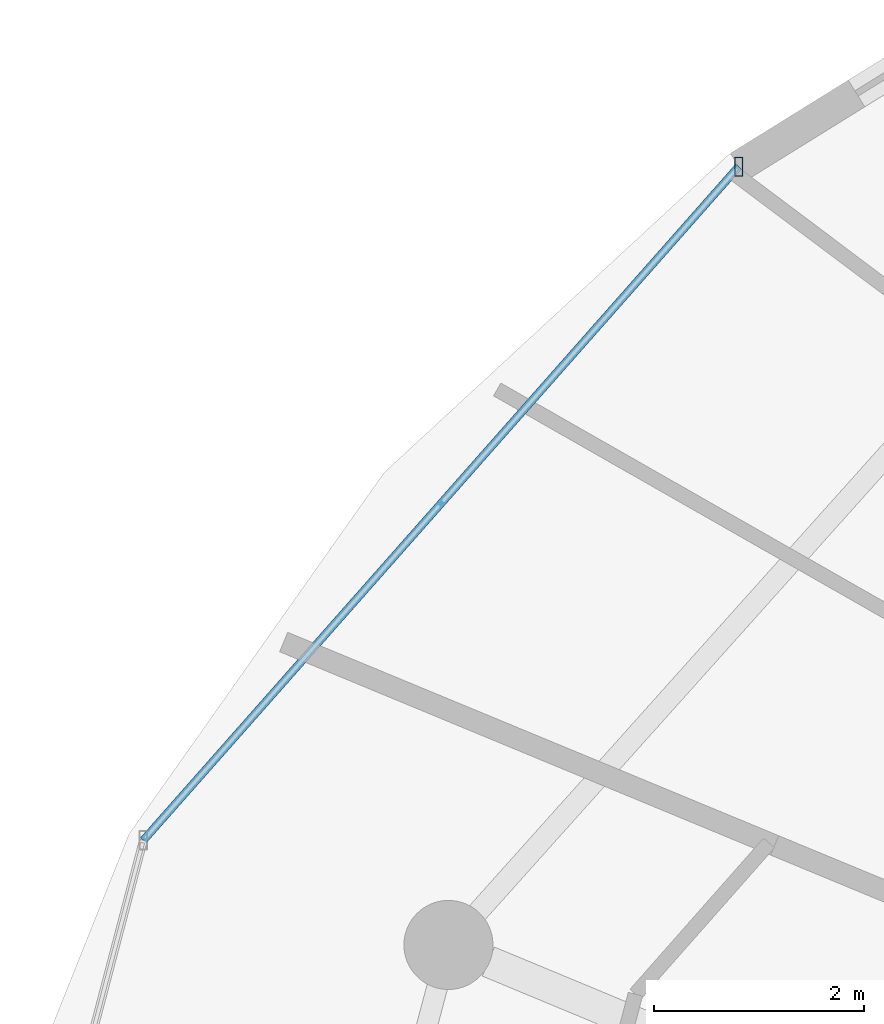
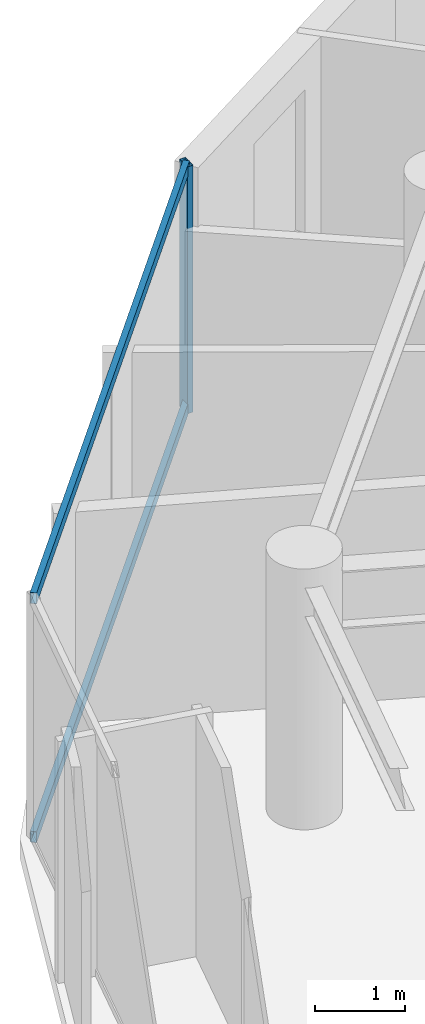
# One storey, part 16 of 31: 3 members, 1 element without a shape of its own.
"""IFC4 building model written with IfcOpenShell, lengths in metres."""

from ifc_helpers import new_model, si_unit, direction, frame, origin, origin_2d, place, context, subcontext, project, spatial, hollow_rectangle, extrude, material, material_profile, profile_set, type_object, element, aggregate, save


model = new_model("IFC4")

# Units and contexts
model_context = context("Model", 3, precision=1e-05, world=origin(), true_north=direction((0.0, 1.0)))
body_context = subcontext(model_context, "Body", "Model", "MODEL_VIEW")
ifc_project = project(units=[si_unit("LENGTHUNIT", "METRE"), si_unit("AREAUNIT", "SQUARE_METRE"), si_unit("VOLUMEUNIT", "CUBIC_METRE"), si_unit("PLANEANGLEUNIT", "RADIAN"), si_unit("MASSUNIT", "GRAM", prefix="KILO")], contexts=[model_context])

# Site, building, storey
site_placement = place(None, origin())
site = spatial("IfcSite", under=ifc_project, at=site_placement, CompositionType="ELEMENT")
building_placement = place(site_placement, origin())
building = spatial("IfcBuilding", under=site, at=building_placement, Name="Vorneva Point Tower", CompositionType="ELEMENT")
storey_placement = place(building_placement, frame((0.0, 0.0, 244.89990234375)))
storey = spatial("IfcBuildingStorey", under=building, at=storey_placement, Name="L66", CompositionType="ELEMENT", Elevation=244.89990234375)

# Curtain wall, members
ifc_material = material(Name="Pale anodised aluminium", Category="aluminium")
curtain_wall_type = type_object("IfcCurtainWallType", Name="CW-RES-SYS", PredefinedType="NOTDEFINED", material=ifc_material)
curtain_wall_placement = place(storey_placement, origin())
curtain_wall = element("IfcCurtainWall", 1, at=curtain_wall_placement, inside=storey, type_object=curtain_wall_type, Name="L66 Unitised Curtain Wall CW-L66-R03", PredefinedType="NOTDEFINED")
ifc_material_profile_1 = material_profile(ifc_material, hollow_rectangle(XDim=0.074951171875, YDim=0.179931640625, WallThickness=0.00390625, at=origin_2d()), Name="AL-MUL 180x75x4")
ifc_profile_set_1 = profile_set([ifc_material_profile_1], Name="Pale anodised aluminium")
member_type_1 = type_object("IfcMemberType", Name="CW-MUL-180", PredefinedType="MULLION", material=ifc_profile_set_1)
member_1_placement = place(storey_placement, frame((19.473876953125, 40.0078125, -0.039794921875), z_axis=(0.0, 0.0, 1.0), x_axis=(1.0, 0.0, 0.0)))
member_1 = element("IfcMember", 2, at=member_1_placement, type_object=member_type_1, Name="CW-L66-R03 Mullion 01", PredefinedType="MULLION", context=body_context, shape_type="SweptSolid", body=[
    extrude(hollow_rectangle(XDim=0.074951171875, YDim=0.179931640625, WallThickness=0.00390625, at=origin_2d()), origin(), (0.0, 0.0, 1.0), 3.35986328125),
])
ifc_material_profile_2 = material_profile(ifc_material, hollow_rectangle(XDim=0.074951171875, YDim=0.14990234375, WallThickness=0.00390625, at=origin_2d()), Name="AL-TRN 150x75x4")
ifc_profile_set_2 = profile_set([ifc_material_profile_2], Name="Pale anodised aluminium")
member_type_2 = type_object("IfcMemberType", Name="CW-TRN-150", PredefinedType="USERDEFINED", material=ifc_profile_set_2)
member_2_placement = place(storey_placement, frame((19.473876953125, 40.0078125, 0.02001953125), z_axis=(-0.662196681357, -0.74933007093, 0.0), x_axis=(0.74933007093, -0.662196681357, 0.0)))
member_2 = element("IfcMember", 3, at=member_2_placement, type_object=member_type_2, Name="CW-L66-R03 Transom 01.1", ObjectType="TRANSOM", PredefinedType="USERDEFINED", context=body_context, shape_type="SweptSolid", body=[
    extrude(hollow_rectangle(XDim=0.074951171875, YDim=0.14990234375, WallThickness=0.00390625, at=origin_2d()), origin(), (0.0, 0.0, 1.0), 8.57666015625),
])
member_3_placement = place(storey_placement, frame((19.473876953125, 40.0078125, 3.27001953125), z_axis=(-0.662196681357, -0.74933007093, 0.0), x_axis=(0.74933007093, -0.662196681357, 0.0)))
member_3 = element("IfcMember", 4, at=member_3_placement, type_object=member_type_2, Name="CW-L66-R03 Transom 01.2", ObjectType="TRANSOM", PredefinedType="USERDEFINED", context=body_context, shape_type="SweptSolid", body=[
    extrude(hollow_rectangle(XDim=0.074951171875, YDim=0.14990234375, WallThickness=0.00390625, at=origin_2d()), origin(), (0.0, 0.0, 1.0), 8.57666015625),
])
aggregate(curtain_wall, [member_1, member_2, member_3])

save(model, "model.ifc")
